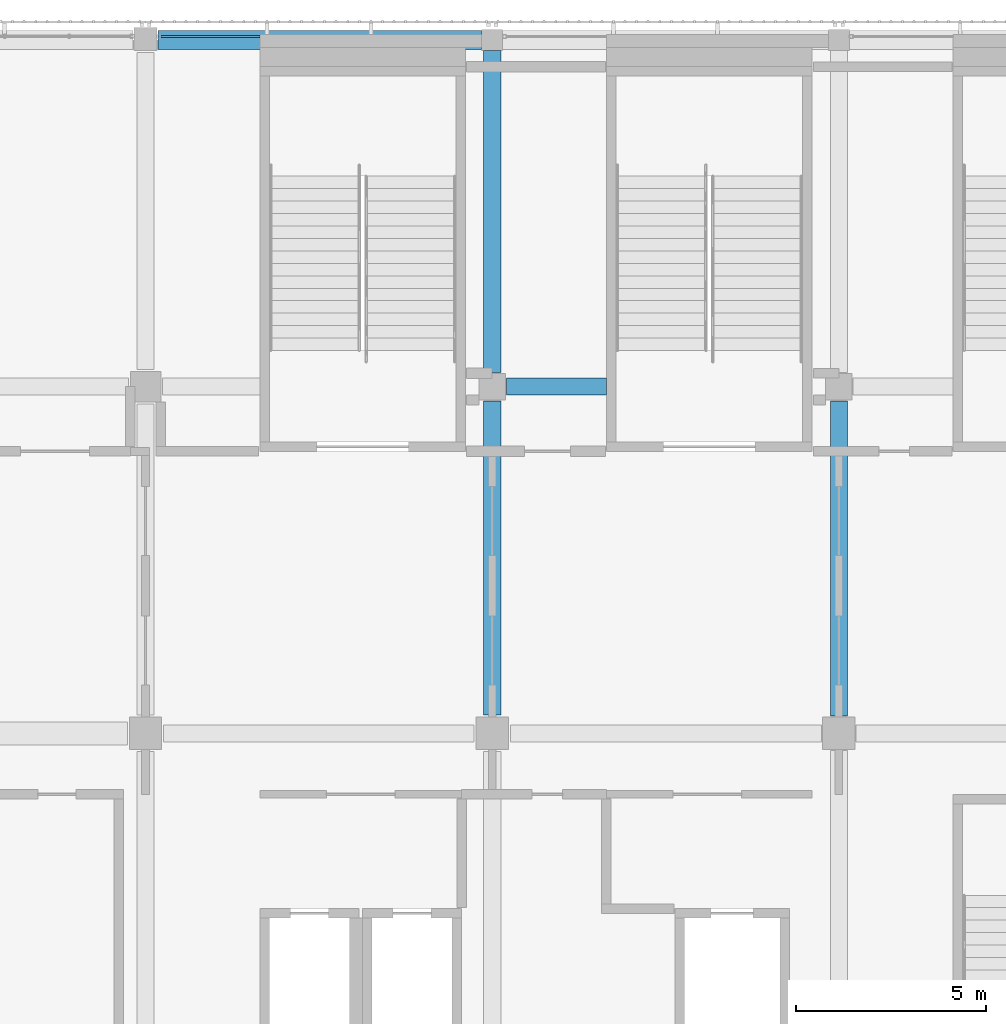
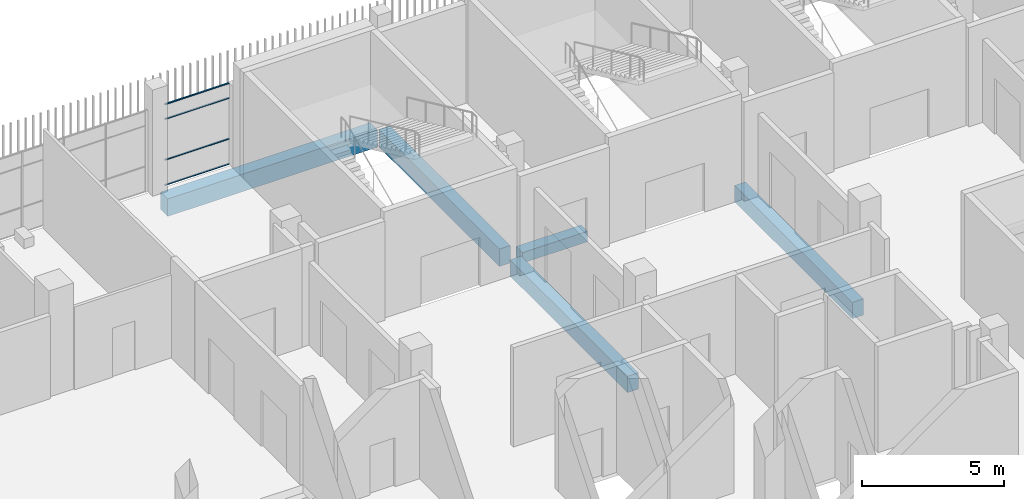
# One storey, part 44 of 126: 5 beams, 4 members, 1 element without a shape of its own.
"""IFC4 building model written with IfcOpenShell, lengths in metres."""

from ifc_helpers import new_model, si_unit, direction, frame, origin, origin_2d, place, context, subcontext, project, spatial, rectangle, hollow_rectangle, extrude, material, layer, layer_set, material_profile, profile_set, type_object, element, aggregate, save


model = new_model("IFC4")

# Units and contexts
model_context = context("Model", 3, precision=1e-05, world=origin(), true_north=direction((0.0, 1.0)))
body_context = subcontext(model_context, "Body", "Model", "MODEL_VIEW")
ifc_project = project(units=[si_unit("LENGTHUNIT", "METRE"), si_unit("AREAUNIT", "SQUARE_METRE"), si_unit("VOLUMEUNIT", "CUBIC_METRE"), si_unit("PLANEANGLEUNIT", "RADIAN"), si_unit("MASSUNIT", "GRAM", prefix="KILO")], contexts=[model_context])

# Site, building, storey
site_placement = place(None, origin())
site = spatial("IfcSite", under=ifc_project, at=site_placement, CompositionType="ELEMENT")
building_placement = place(site_placement, origin())
building = spatial("IfcBuilding", under=site, at=building_placement, Name="Shirokan Park Arena", CompositionType="ELEMENT")
storey_placement = place(building_placement, frame((0.0, 0.0, 6.3701171875)))
storey = spatial("IfcBuildingStorey", under=building, at=storey_placement, Name="L01", CompositionType="ELEMENT", Elevation=6.3701171875)

# Beams
ifc_material_1 = material(Name="Concrete C35", Category="concrete")
ifc_material_profile_1 = material_profile(ifc_material_1, rectangle(XDim=0.449951171875, YDim=0.699951171875, at=origin_2d()), Name="450x700")
ifc_profile_set_1 = profile_set([ifc_material_profile_1], Name="Concrete C35")
beam_type_1 = type_object("IfcBeamType", Name="RC girder 450x700", PredefinedType="BEAM", material=ifc_profile_set_1)
beam_1_placement = place(storey_placement, frame((118.300048828125, 91.47509765625, -0.7001953125), z_axis=(0.0, 1.0, 0.0), x_axis=(-1.0, 0.0, 0.0)))
element("IfcBeam", 1, at=beam_1_placement, inside=storey, type_object=beam_type_1, Name="Girder 14L-14M L01", PredefinedType="BEAM", context=body_context, shape_type="SweptSolid", body=[
    extrude(rectangle(XDim=0.449951171875, YDim=0.699951171875, at=origin_2d()), origin(), (0.0, 0.0, 1.0), 8.249755859375),
])
beam_2_placement = place(storey_placement, frame((127.39990234375, 91.4501953125, -0.7001953125), z_axis=(0.0, 1.0, 0.0), x_axis=(-1.0, 0.0, 0.0)))
element("IfcBeam", 2, at=beam_2_placement, inside=storey, type_object=beam_type_1, Name="Girder 15L-15M L01", PredefinedType="BEAM", context=body_context, shape_type="SweptSolid", body=[
    extrude(rectangle(XDim=0.449951171875, YDim=0.699951171875, at=origin_2d()), origin(), (0.0, 0.0, 1.0), 8.274658203125),
])
ifc_material_profile_2 = material_profile(ifc_material_1, rectangle(XDim=0.449951171875, YDim=0.75, at=origin_2d()), Name="450x750")
ifc_profile_set_2 = profile_set([ifc_material_profile_2], Name="Concrete C35")
beam_type_2 = type_object("IfcBeamType", Name="RC girder 450x750", PredefinedType="BEAM", material=ifc_profile_set_2)
beam_3_placement = place(storey_placement, frame((118.300048828125, 100.47509765625, -0.72509765625), z_axis=(0.0, 1.0, 0.0), x_axis=(-1.0, 0.0, 0.0)))
element("IfcBeam", 3, at=beam_3_placement, inside=storey, type_object=beam_type_2, Name="Girder 14M-14N L01", PredefinedType="BEAM", context=body_context, shape_type="SweptSolid", body=[
    extrude(rectangle(XDim=0.449951171875, YDim=0.75, at=origin_2d()), origin(), (0.0, 0.0, 1.0), 8.44970703125),
])
ifc_material_profile_3 = material_profile(ifc_material_1, rectangle(XDim=0.5, YDim=0.75, at=origin_2d()), Name="500x750")
ifc_profile_set_3 = profile_set([ifc_material_profile_3], Name="Concrete C35")
beam_type_3 = type_object("IfcBeamType", Name="RC girder 500x750", PredefinedType="BEAM", material=ifc_profile_set_3)
beam_4_placement = place(storey_placement, frame((109.525146484375, 109.199951171875, -0.72509765625), z_axis=(1.0, 0.0, 0.0), x_axis=(0.0, 1.0, 0.0)))
element("IfcBeam", 4, at=beam_4_placement, inside=storey, type_object=beam_type_3, Name="Girder 13N-14N L01", PredefinedType="BEAM", context=body_context, shape_type="SweptSolid", body=[
    extrude(rectangle(XDim=0.5, YDim=0.75, at=origin_2d()), origin(), (0.0, 0.0, 1.0), 8.499755859375),
])
ifc_material_profile_4 = material_profile(ifc_material_1, rectangle(XDim=0.449951171875, YDim=0.449951171875, at=origin_2d()), Name="450x450")
ifc_profile_set_4 = profile_set([ifc_material_profile_4], Name="Concrete C35")
beam_type_4 = type_object("IfcBeamType", Name="RC trimmer 450x450", PredefinedType="BEAM", material=ifc_profile_set_4)
beam_5_placement = place(storey_placement, frame((118.675048828125, 100.10009765625, -0.5751953125), z_axis=(1.0, 0.0, 0.0), x_axis=(0.0, 1.0, 0.0)))
element("IfcBeam", 5, at=beam_5_placement, inside=storey, type_object=beam_type_4, Name="Girder 14M-15M L01", PredefinedType="BEAM", context=body_context, shape_type="SweptSolid", body=[
    extrude(rectangle(XDim=0.449951171875, YDim=0.449951171875, at=origin_2d()), origin(), (0.0, 0.0, 1.0), 2.625),
])

# Curtain wall, members
ifc_material_2 = material(Name="Steel and glass curtain wall", Category="steel")
ifc_layer = layer(ifc_material_2, 0.1201171875)
ifc_layer_set = layer_set([ifc_layer], Name="Steel and glass curtain wall 120 mm")
curtain_wall_type = type_object("IfcCurtainWallType", Name="Curtain wall corner block side bay 120", PredefinedType="NOTDEFINED", material=ifc_layer_set)
curtain_wall_placement = place(storey_placement, origin())
curtain_wall = element("IfcCurtainWall", 6, at=curtain_wall_placement, inside=storey, type_object=curtain_wall_type, Name="Curtain wall north bay 4 L01", PredefinedType="NOTDEFINED")
ifc_material_3 = material(Name="Steel S355", Category="steel")
ifc_material_profile_5 = material_profile(ifc_material_3, hollow_rectangle(XDim=0.06005859375, YDim=0.0400390625, WallThickness=0.00390625, at=origin_2d()), Name="RHS 60x40x4")
ifc_profile_set_5 = profile_set([ifc_material_profile_5], Name="Steel S355")
member_type = type_object("IfcMemberType", Name="Transom RHS 60x40x4", PredefinedType="MULLION", material=ifc_profile_set_5)
member_1_placement = place(storey_placement, frame((112.199951171875, 109.2900390625, 0.019775390625), z_axis=(-1.0, 0.0, 0.0), x_axis=(0.0, -1.0, 0.0)))
member_1 = element("IfcMember", 7, at=member_1_placement, type_object=member_type, Name="CW3 transom 1.1", PredefinedType="MULLION", context=body_context, shape_type="SweptSolid", body=[
    extrude(hollow_rectangle(XDim=0.06005859375, YDim=0.0400390625, WallThickness=0.00390625, at=origin_2d()), origin(), (0.0, 0.0, 1.0), 2.599853515625),
])
member_2_placement = place(storey_placement, frame((112.199951171875, 109.2900390625, 1.099853515625), z_axis=(-1.0, 0.0, 0.0), x_axis=(0.0, -1.0, 0.0)))
member_2 = element("IfcMember", 8, at=member_2_placement, type_object=member_type, Name="CW3 transom 1.2", PredefinedType="MULLION", context=body_context, shape_type="SweptSolid", body=[
    extrude(hollow_rectangle(XDim=0.06005859375, YDim=0.0400390625, WallThickness=0.00390625, at=origin_2d()), origin(), (0.0, 0.0, 1.0), 2.599853515625),
])
member_3_placement = place(storey_placement, frame((112.199951171875, 109.2900390625, 2.849853515625), z_axis=(-1.0, 0.0, 0.0), x_axis=(0.0, -1.0, 0.0)))
member_3 = element("IfcMember", 9, at=member_3_placement, type_object=member_type, Name="CW3 transom 1.3", PredefinedType="MULLION", context=body_context, shape_type="SweptSolid", body=[
    extrude(hollow_rectangle(XDim=0.06005859375, YDim=0.0400390625, WallThickness=0.00390625, at=origin_2d()), origin(), (0.0, 0.0, 1.0), 2.599853515625),
])
member_4_placement = place(storey_placement, frame((112.199951171875, 109.2900390625, 3.47998046875), z_axis=(-1.0, 0.0, 0.0), x_axis=(0.0, -1.0, 0.0)))
member_4 = element("IfcMember", 10, at=member_4_placement, type_object=member_type, Name="CW3 transom 1.4", PredefinedType="MULLION", context=body_context, shape_type="SweptSolid", body=[
    extrude(hollow_rectangle(XDim=0.06005859375, YDim=0.0400390625, WallThickness=0.00390625, at=origin_2d()), origin(), (0.0, 0.0, 1.0), 2.599853515625),
])
aggregate(curtain_wall, [member_1, member_2, member_3, member_4])

save(model, "model.ifc")
